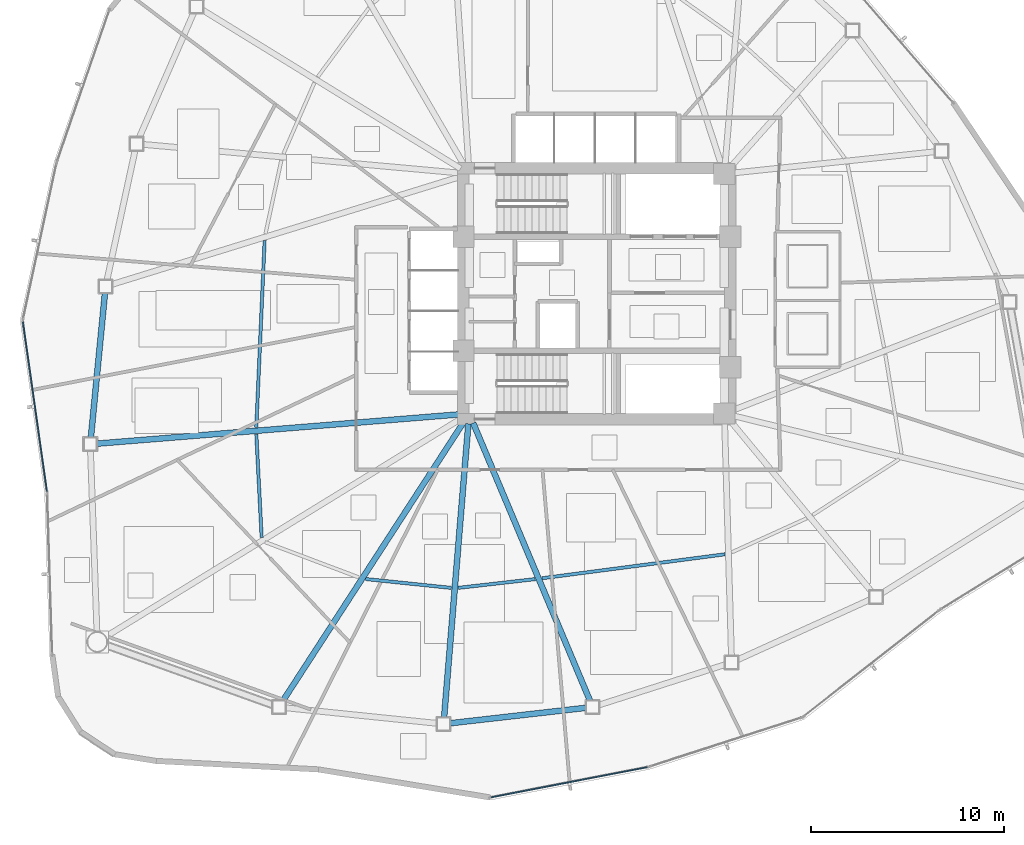
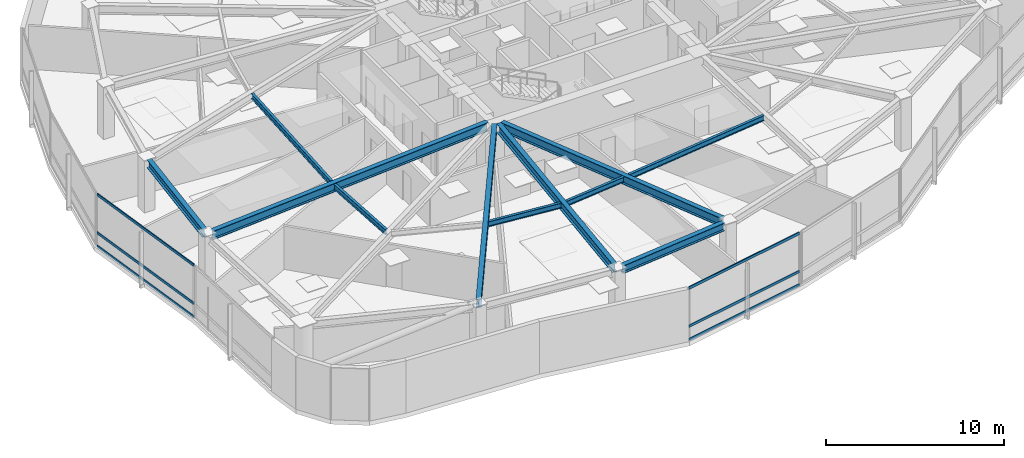
# One storey, part 3 of 17: 11 beams, 6 members, 2 elements without a shape of their own.
"""IFC4 building model written with IfcOpenShell, lengths in metres."""

from ifc_helpers import new_model, si_unit, direction, frame, origin, origin_2d, place, context, subcontext, project, spatial, hollow_rectangle, i_section, extrude, source, transform, mapped, material, layer, layer_set, material_profile, profile_set, type_object, type_shapes, element, aggregate, save


model = new_model("IFC4")

# Units and contexts
model_context = context("Model", 3, precision=1e-05, world=origin(), true_north=direction((0.0, 1.0)))
body_context = subcontext(model_context, "Body", "Model", "MODEL_VIEW")
ifc_project = project(units=[si_unit("LENGTHUNIT", "METRE"), si_unit("AREAUNIT", "SQUARE_METRE"), si_unit("VOLUMEUNIT", "CUBIC_METRE"), si_unit("PLANEANGLEUNIT", "RADIAN"), si_unit("MASSUNIT", "GRAM", prefix="KILO")], contexts=[model_context])

# Site, building, storey
site_placement = place(None, origin())
site = spatial("IfcSite", under=ifc_project, at=site_placement, CompositionType="ELEMENT")
building_placement = place(site_placement, origin())
building = spatial("IfcBuilding", under=site, at=building_placement, Name="Tavelor Broadcast Tower", CompositionType="ELEMENT")
storey_placement = place(building_placement, frame((0.0, 0.0, 86.10009765625)))
storey = spatial("IfcBuildingStorey", under=building, at=storey_placement, Name="L20", CompositionType="ELEMENT", Elevation=86.10009765625)

# Beams
ifc_material_1 = material(Name="Steel S355", Category="steel")
ifc_material_profile_1 = material_profile(ifc_material_1, i_section(OverallWidth=0.169921875, OverallDepth=0.360107421875, WebThickness=0.008056640625, FlangeThickness=0.0126953125, at=origin_2d()), Name="IPE 360")
ifc_profile_set_1 = profile_set([ifc_material_profile_1], Name="Steel S355")
beam_type_1 = type_object("IfcBeamType", Name="Composite Floor Joist T2 IPE 360", PredefinedType="JOIST", material=ifc_profile_set_1)
beam_1_placement = place(storey_placement, frame((32.816162109375, 47.747314453125, 3.419921875), z_axis=(-0.044602263152, -0.999004823873, 0.0), x_axis=(0.999004823873, -0.044602263152, 0.0)))
element("IfcBeam", 1, at=beam_1_placement, inside=storey, type_object=beam_type_1, Name="L20 Secondary Composite Floor Joist 05", PredefinedType="JOIST", context=body_context, shape_type="SweptSolid", body=[
    extrude(i_section(OverallWidth=0.169921875, OverallDepth=0.360107421875, WebThickness=0.008056640625, FlangeThickness=0.0126953125, at=origin_2d()), origin(), (0.0, 0.0, 1.0), 9.66650390625),
])
beam_2_placement = place(storey_placement, frame((32.386474609375, 37.72900390625, 3.419921875), z_axis=(0.051611065527, -0.998667260861, 0.0), x_axis=(0.998667260861, 0.051611065527, 0.0)))
element("IfcBeam", 2, at=beam_2_placement, inside=storey, type_object=beam_type_1, Name="L20 Secondary Composite Floor Joist 06", PredefinedType="JOIST", context=body_context, shape_type="SweptSolid", body=[
    extrude(i_section(OverallWidth=0.169921875, OverallDepth=0.360107421875, WebThickness=0.008056640625, FlangeThickness=0.0126953125, at=origin_2d()), origin(), (0.0, 0.0, 1.0), 5.340576171875),
])
beam_3_placement = place(storey_placement, frame((38.04052734375, 30.240966796875, 3.419921875), z_axis=(0.99467108558, -0.103099134387, 0.0), x_axis=(0.103099134387, 0.99467108558, 0.0)))
element("IfcBeam", 3, at=beam_3_placement, inside=storey, type_object=beam_type_1, Name="L20 Secondary Composite Floor Joist 08", PredefinedType="JOIST", context=body_context, shape_type="SweptSolid", body=[
    extrude(i_section(OverallWidth=0.169921875, OverallDepth=0.360107421875, WebThickness=0.008056640625, FlangeThickness=0.0126953125, at=origin_2d()), origin(), (0.0, 0.0, 1.0), 4.45654296875),
])
beam_4_placement = place(storey_placement, frame((42.833251953125, 29.783203125, 3.419921875), z_axis=(0.993569155888, 0.113226906995, 0.0), x_axis=(-0.113226906995, 0.993569155888, 0.0)))
element("IfcBeam", 4, at=beam_4_placement, inside=storey, type_object=beam_type_1, Name="L20 Secondary Composite Floor Joist 09", PredefinedType="JOIST", context=body_context, shape_type="SweptSolid", body=[
    extrude(i_section(OverallWidth=0.169921875, OverallDepth=0.360107421875, WebThickness=0.008056640625, FlangeThickness=0.0126953125, at=origin_2d()), origin(), (0.0, 0.0, 1.0), 4.00634765625),
])
beam_5_placement = place(storey_placement, frame((47.173095703125, 30.281005859375, 3.419921875), z_axis=(0.991523318151, 0.129928863469, 0.0), x_axis=(-0.129928863469, 0.991523318151, 0.0)))
element("IfcBeam", 5, at=beam_5_placement, inside=storey, type_object=beam_type_1, Name="L20 Secondary Composite Floor Joist 10", PredefinedType="JOIST", context=body_context, shape_type="SweptSolid", body=[
    extrude(i_section(OverallWidth=0.169921875, OverallDepth=0.360107421875, WebThickness=0.008056640625, FlangeThickness=0.0126953125, at=origin_2d()), origin(), (0.0, 0.0, 1.0), 9.539794921875),
])
ifc_material_profile_2 = material_profile(ifc_material_1, i_section(OverallWidth=0.300048828125, OverallDepth=0.550048828125, WebThickness=0.014892578125, FlangeThickness=0.029052734375, at=origin_2d()), Name="HEB 550")
ifc_profile_set_2 = profile_set([ifc_material_profile_2], Name="Steel S355")
beam_type_2 = type_object("IfcBeamType", Name="Perimeter Spandrel Beam T2 HEB 550", PredefinedType="SPANDREL", material=ifc_profile_set_2)
beam_6_placement = place(storey_placement, frame((24.557373046875, 45.04638671875, 3.324951171875), z_axis=(-0.096929220198, -0.9952912771, 0.0), x_axis=(0.9952912771, -0.096929220198, 0.0)))
element("IfcBeam", 6, at=beam_6_placement, inside=storey, type_object=beam_type_2, Name="L20 Framed-Tube Ring Spandrel 05", PredefinedType="SPANDREL", context=body_context, shape_type="SweptSolid", body=[
    extrude(i_section(OverallWidth=0.300048828125, OverallDepth=0.550048828125, WebThickness=0.014892578125, FlangeThickness=0.029052734375, at=origin_2d()), origin(), (0.0, 0.0, 1.0), 7.531005859375),
])
beam_7_placement = place(storey_placement, frame((42.406982421875, 22.778564453125, 3.324951171875), z_axis=(0.993591905029, 0.113027104096, 0.0), x_axis=(-0.113027104096, 0.993591905029, 0.0)))
element("IfcBeam", 7, at=beam_7_placement, inside=storey, type_object=beam_type_2, Name="L20 Framed-Tube Ring Spandrel 09", PredefinedType="SPANDREL", context=body_context, shape_type="SweptSolid", body=[
    extrude(i_section(OverallWidth=0.300048828125, OverallDepth=0.550048828125, WebThickness=0.014892578125, FlangeThickness=0.029052734375, at=origin_2d()), origin(), (0.0, 0.0, 1.0), 7.09130859375),
])
ifc_material_profile_3 = material_profile(ifc_material_1, i_section(OverallWidth=0.300048828125, OverallDepth=0.60009765625, WebThickness=0.015380859375, FlangeThickness=0.030029296875, at=origin_2d()), Name="HEB 600")
ifc_profile_set_3 = profile_set([ifc_material_profile_3], Name="Steel S355")
beam_type_3 = type_object("IfcBeamType", Name="Radial Floor Girder T2 HEB 600", PredefinedType="BEAM", material=ifc_profile_set_3)
beam_8_placement = place(storey_placement, frame((42.873779296875, 38.757568359375, 3.2998046875), z_axis=(-0.996753141144, -0.080518169498, 0.0), x_axis=(0.080518169498, -0.996753141144, 0.0)))
element("IfcBeam", 8, at=beam_8_placement, inside=storey, type_object=beam_type_3, Name="L20 Radial Primary Floor Girder 06", PredefinedType="BEAM", context=body_context, shape_type="SweptSolid", body=[
    extrude(i_section(OverallWidth=0.300048828125, OverallDepth=0.60009765625, WebThickness=0.015380859375, FlangeThickness=0.030029296875, at=origin_2d()), origin(), (0.0, 0.0, 1.0), 18.80517578125),
])
beam_9_placement = place(storey_placement, frame((43.11279296875, 38.35693359375, 3.2998046875), z_axis=(-0.544192452451, -0.838960413068, 0.0), x_axis=(0.838960413068, -0.544192452451, 0.0)))
element("IfcBeam", 9, at=beam_9_placement, inside=storey, type_object=beam_type_3, Name="L20 Radial Primary Floor Girder 08", PredefinedType="BEAM", context=body_context, shape_type="SweptSolid", body=[
    extrude(i_section(OverallWidth=0.300048828125, OverallDepth=0.60009765625, WebThickness=0.015380859375, FlangeThickness=0.030029296875, at=origin_2d()), origin(), (0.0, 0.0, 1.0), 17.235107421875),
])
beam_10_placement = place(storey_placement, frame((43.3564453125, 38.273681640625, 3.2998046875), z_axis=(-0.082335312762, -0.996604684051, 0.0), x_axis=(0.996604684051, -0.082335312762, 0.0)))
element("IfcBeam", 10, at=beam_10_placement, inside=storey, type_object=beam_type_3, Name="L20 Radial Primary Floor Girder 09", PredefinedType="BEAM", context=body_context, shape_type="SweptSolid", body=[
    extrude(i_section(OverallWidth=0.300048828125, OverallDepth=0.60009765625, WebThickness=0.015380859375, FlangeThickness=0.030029296875, at=origin_2d()), origin(), (0.0, 0.0, 1.0), 15.25),
])
beam_11_placement = place(storey_placement, frame((43.604736328125, 38.313232421875, 3.2998046875), z_axis=(0.387755556571, -0.921762240683, 0.0), x_axis=(0.921762240683, 0.387755556571, 0.0)))
element("IfcBeam", 11, at=beam_11_placement, inside=storey, type_object=beam_type_3, Name="L20 Radial Primary Floor Girder 10", PredefinedType="BEAM", context=body_context, shape_type="SweptSolid", body=[
    extrude(i_section(OverallWidth=0.300048828125, OverallDepth=0.60009765625, WebThickness=0.015380859375, FlangeThickness=0.030029296875, at=origin_2d()), origin(), (0.0, 0.0, 1.0), 15.6064453125),
])

# Curtain wall, members
ifc_material_2 = material(Name="Architectural Anodized Aluminium", Category="aluminium")
ifc_layer = layer(ifc_material_2, 0.179931640625)
ifc_layer_set = layer_set([ifc_layer], Name="Architectural Anodized Aluminium")
curtain_wall_type = type_object("IfcCurtainWallType", Name="Tower Low-Zone Unitised Curtain Wall CW02", PredefinedType="NOTDEFINED", material=ifc_layer_set)
curtain_wall_1_placement = place(storey_placement, origin())
curtain_wall_1 = element("IfcCurtainWall", 12, at=curtain_wall_1_placement, inside=storey, type_object=curtain_wall_type, Name="L20 Curtain Wall CW02 Run 195", PredefinedType="NOTDEFINED")
ifc_material_profile_4 = material_profile(ifc_material_2, hollow_rectangle(XDim=0.06494140625, YDim=0.179931640625, WallThickness=0.02197265625, at=origin_2d()), Name="RHS 65x180x22")
ifc_profile_set_4 = profile_set([ifc_material_profile_4], Name="Architectural Anodized Aluminium")
member_type = type_object("IfcMemberType", Name="CW02 Extruded Aluminium Transom 65x180", PredefinedType="USERDEFINED", material=ifc_profile_set_4)
shared_shape_1 = source(origin(), body_context, "Body", "SweptSolid", [
    extrude(hollow_rectangle(XDim=0.06494140625, YDim=0.179931640625, WallThickness=0.02197265625, at=origin_2d()), origin(), (0.0, 0.0, 1.0), 8.84033203125),
])
member_1_placement = place(storey_placement, frame((20.313720703125, 43.5390625, 0.032470703125), z_axis=(0.140319370796, -0.990106294384, 0.0), x_axis=(0.990106294384, 0.140319370796, 0.0)))
member_1 = element("IfcMember", 13, at=member_1_placement, type_object=member_type, Name="CW02 transom 1.1", ObjectType="TRANSOM", PredefinedType="USERDEFINED", context=body_context, shape_type="MappedRepresentation", body=[
    mapped(shared_shape_1, transform((0.0, 0.0, 0.0), scale=1.0)),
])
member_2_placement = place(storey_placement, frame((20.313720703125, 43.5390625, 0.949951171875), z_axis=(0.140319370796, -0.990106294384, 0.0), x_axis=(0.990106294384, 0.140319370796, 0.0)))
member_2 = element("IfcMember", 14, at=member_2_placement, type_object=member_type, Name="CW02 transom 1.2", ObjectType="TRANSOM", PredefinedType="USERDEFINED", context=body_context, shape_type="MappedRepresentation", body=[
    mapped(shared_shape_1, transform((0.0, 0.0, 0.0), scale=1.0)),
])
member_3_placement = place(storey_placement, frame((20.313720703125, 43.5390625, 3.5673828125), z_axis=(0.140319370796, -0.990106294384, 0.0), x_axis=(0.990106294384, 0.140319370796, 0.0)))
member_3 = element("IfcMember", 15, at=member_3_placement, type_object=member_type, Name="CW02 transom 1.3", ObjectType="TRANSOM", PredefinedType="USERDEFINED", context=body_context, shape_type="MappedRepresentation", body=[
    mapped(shared_shape_1, transform((0.0, 0.0, 0.0), scale=1.0)),
])
aggregate(curtain_wall_1, [member_1, member_2, member_3])

curtain_wall_2_placement = place(storey_placement, origin())
curtain_wall_2 = element("IfcCurtainWall", 16, at=curtain_wall_2_placement, inside=storey, type_object=curtain_wall_type, Name="L20 Curtain Wall CW02 Run 197", PredefinedType="NOTDEFINED")
shared_shape_2 = source(origin(), body_context, "Body", "SweptSolid", [
    extrude(hollow_rectangle(XDim=0.06494140625, YDim=0.179931640625, WallThickness=0.02197265625, at=origin_2d()), origin(), (0.0, 0.0, 1.0), 8.219482421875),
])
type_shapes(member_type, [shared_shape_1, shared_shape_2])
member_4_placement = place(storey_placement, frame((44.53564453125, 18.949462890625, 0.032470703125), z_axis=(0.981880172069, 0.189502843507, 0.0), x_axis=(-0.189502843507, 0.981880172069, 0.0)))
member_4 = element("IfcMember", 17, at=member_4_placement, type_object=member_type, Name="CW02 transom 1.1", ObjectType="TRANSOM", PredefinedType="USERDEFINED", context=body_context, shape_type="MappedRepresentation", body=[
    mapped(shared_shape_2, transform((0.0, 0.0, 0.0), scale=1.0)),
])
member_5_placement = place(storey_placement, frame((44.53564453125, 18.949462890625, 0.949951171875), z_axis=(0.981880172069, 0.189502843507, 0.0), x_axis=(-0.189502843507, 0.981880172069, 0.0)))
member_5 = element("IfcMember", 18, at=member_5_placement, type_object=member_type, Name="CW02 transom 1.2", ObjectType="TRANSOM", PredefinedType="USERDEFINED", context=body_context, shape_type="MappedRepresentation", body=[
    mapped(shared_shape_2, transform((0.0, 0.0, 0.0), scale=1.0)),
])
member_6_placement = place(storey_placement, frame((44.53564453125, 18.949462890625, 3.5673828125), z_axis=(0.981880172069, 0.189502843507, 0.0), x_axis=(-0.189502843507, 0.981880172069, 0.0)))
member_6 = element("IfcMember", 19, at=member_6_placement, type_object=member_type, Name="CW02 transom 1.3", ObjectType="TRANSOM", PredefinedType="USERDEFINED", context=body_context, shape_type="MappedRepresentation", body=[
    mapped(shared_shape_2, transform((0.0, 0.0, 0.0), scale=1.0)),
])
aggregate(curtain_wall_2, [member_4, member_5, member_6])

save(model, "model.ifc")
